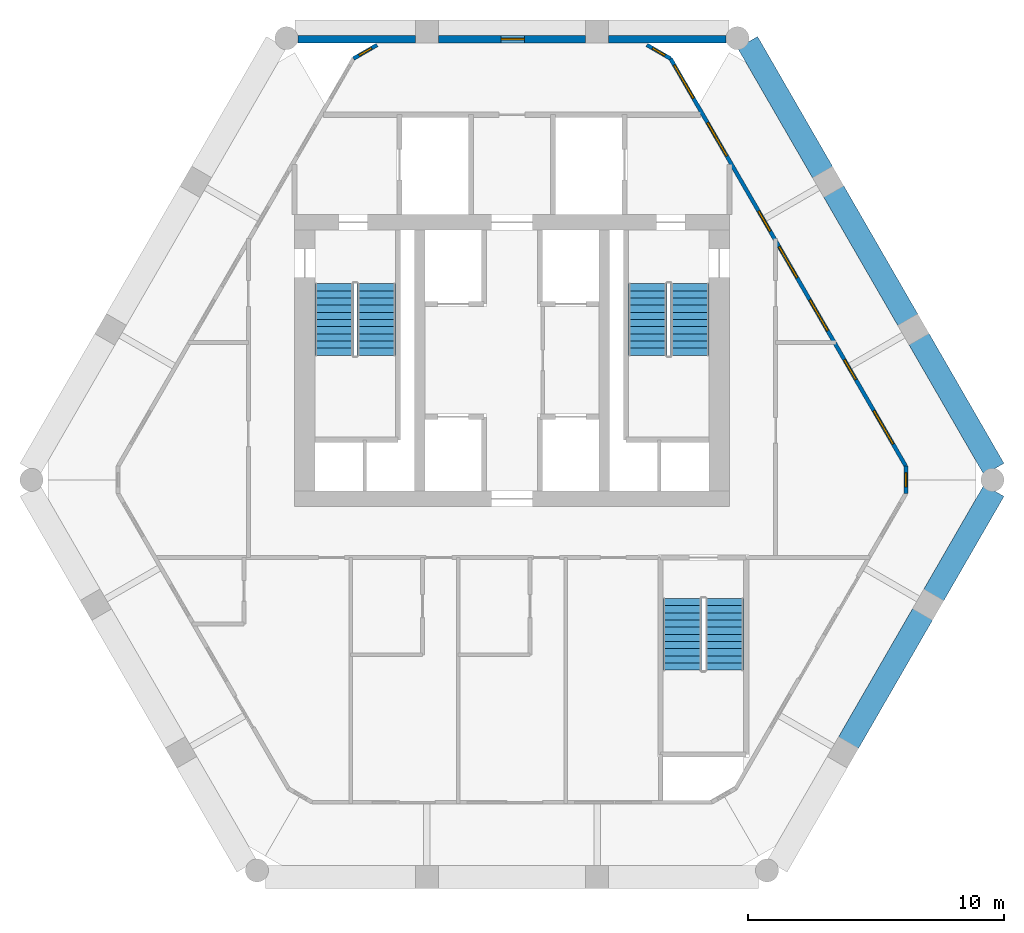
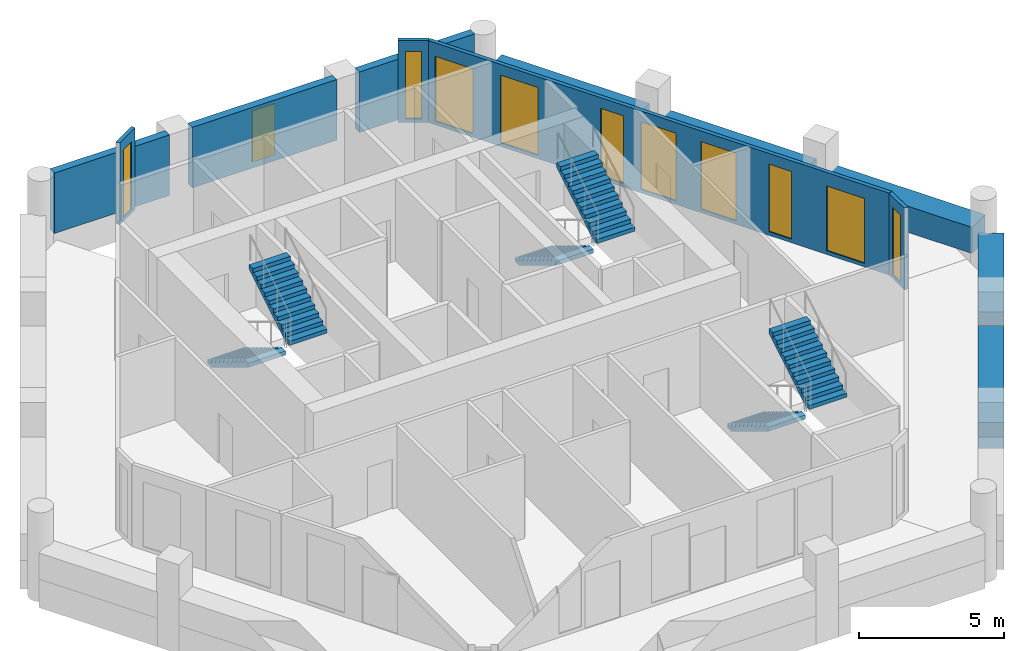
# One storey, part 5 of 6: 12 walls, 11 windows, 6 stair flights, 11 openings, 3 elements without a shape of their own.
"""IFC4 building model written with IfcOpenShell, lengths in metres."""

from ifc_helpers import new_model, si_unit, direction, frame, frame_2d, origin, place, context, subcontext, project, spatial, polyline, rectangle, outline, extrude, material, layer, layer_set, type_object, element, fill, aggregate, save


model = new_model("IFC4")

# Units and contexts
model_context = context("Model", 3, precision=1e-05, world=origin(), true_north=direction((0.0, 1.0)))
body_context = subcontext(model_context, "Body", "Model", "MODEL_VIEW")
ifc_project = project(units=[si_unit("LENGTHUNIT", "METRE"), si_unit("AREAUNIT", "SQUARE_METRE"), si_unit("VOLUMEUNIT", "CUBIC_METRE"), si_unit("PLANEANGLEUNIT", "RADIAN"), si_unit("MASSUNIT", "GRAM", prefix="KILO")], contexts=[model_context])

# Site, building, storey
site_placement = place(None, origin())
site = spatial("IfcSite", under=ifc_project, at=site_placement, CompositionType="ELEMENT")
building_placement = place(site_placement, origin())
building = spatial("IfcBuilding", under=site, at=building_placement, Name="Ostrander Bayou Hotel Tower", CompositionType="ELEMENT")
storey_placement = place(building_placement, frame((0.0, 0.0, 252.5)))
storey = spatial("IfcBuildingStorey", under=building, at=storey_placement, Name="L62", CompositionType="ELEMENT", Elevation=252.5)

# Wall, openings, windows
ifc_material_1 = material(Name="Aluminium framed insulated wall", Category="aluminium")
ifc_layer_1 = layer(ifc_material_1, 0.14990234375)
ifc_layer_set_1 = layer_set([ifc_layer_1], Name="GW1 glass-line wall 150 mm")
wall_type_1 = type_object("IfcWallType", Name="GW1 glass-line wall 150 mm", PredefinedType="SOLIDWALL", material=ifc_layer_set_1)
wall_1_placement = place(storey_placement, frame((15.387451171875, -0.133056640625, 0.0), z_axis=(0.0, 0.0, 1.0), x_axis=(-0.499998651697, 0.866026182226, 0.0)))
wall_1 = element("IfcWall", 1, at=wall_1_placement, inside=storey, type_object=wall_type_1, Name="GW1 L62 NE 1", PredefinedType="SOLIDWALL", context=body_context, shape_type="SweptSolid", body=[
    extrude(rectangle(XDim=18.38916015625, YDim=0.14990234375, at=frame_2d((9.194580078125, 0.0))), origin(), (0.0, 0.0, 1.0), 3.449951171875),
])
opening_1_placement = place(wall_1_placement, frame((3.908935546875, 0.0, 0.14990234375)))
opening_1 = element("IfcOpeningElement", 2, at=opening_1_placement, cuts=wall_1, Name="Opening W18", PredefinedType="OPENING", context=body_context, shape_type="SweptSolid", body=[
    extrude(rectangle(XDim=0.89990234375, YDim=2.85009765625, at=frame_2d((0.449951171875, 1.425048828125))), frame((0.0, 0.074951171875, 0.0), z_axis=(0.0, -1.0, 0.0), x_axis=(1.0, 0.0, 0.0)), (0.0, 0.0, 1.0), 0.14990234375),
])
opening_2_placement = place(wall_1_placement, frame((6.10888671875, 0.0, 0.14990234375)))
opening_2 = element("IfcOpeningElement", 3, at=opening_2_placement, cuts=wall_1, Name="Opening W14", PredefinedType="OPENING", context=body_context, shape_type="SweptSolid", body=[
    extrude(rectangle(XDim=1.39990234375, YDim=2.85009765625, at=frame_2d((0.699951171875, 1.425048828125))), frame((0.0, 0.074951171875, 0.0), z_axis=(0.0, -1.0, 0.0), x_axis=(1.0, 0.0, 0.0)), (0.0, 0.0, 1.0), 0.14990234375),
])
opening_3_placement = place(wall_1_placement, frame((10.60302734375, 0.0, 0.14990234375)))
opening_3 = element("IfcOpeningElement", 4, at=opening_3_placement, cuts=wall_1, Name="Opening W18", PredefinedType="OPENING", context=body_context, shape_type="SweptSolid", body=[
    extrude(rectangle(XDim=0.89990234375, YDim=2.85009765625, at=frame_2d((0.449951171875, 1.425048828125))), frame((0.0, 0.074951171875, 0.0), z_axis=(0.0, -1.0, 0.0), x_axis=(1.0, 0.0, 0.0)), (0.0, 0.0, 1.0), 0.14990234375),
])
opening_4_placement = place(wall_1_placement, frame((8.503173828125, 0.0, 0.14990234375)))
opening_4 = element("IfcOpeningElement", 5, at=opening_4_placement, cuts=wall_1, Name="Opening W14", PredefinedType="OPENING", context=body_context, shape_type="SweptSolid", body=[
    extrude(rectangle(XDim=1.39990234375, YDim=2.85009765625, at=frame_2d((0.699951171875, 1.425048828125))), frame((0.0, 0.074951171875, 0.0), z_axis=(0.0, -1.0, 0.0), x_axis=(1.0, 0.0, 0.0)), (0.0, 0.0, 1.0), 0.14990234375),
])
opening_5_placement = place(wall_1_placement, frame((13.99560546875, 0.0, 0.14990234375)))
opening_5 = element("IfcOpeningElement", 6, at=opening_5_placement, cuts=wall_1, Name="Opening W4", PredefinedType="OPENING", context=body_context, shape_type="SweptSolid", body=[
    extrude(rectangle(XDim=1.5, YDim=2.85009765625, at=frame_2d((0.75, 1.425048828125))), frame((0.0, 0.074951171875, 0.0), z_axis=(0.0, -1.0, 0.0), x_axis=(1.0, 0.0, 0.0)), (0.0, 0.0, 1.0), 0.14990234375),
])
opening_6_placement = place(wall_1_placement, frame((1.00439453125, 0.0, 0.14990234375)))
opening_6 = element("IfcOpeningElement", 7, at=opening_6_placement, cuts=wall_1, Name="Opening W4", PredefinedType="OPENING", context=body_context, shape_type="SweptSolid", body=[
    extrude(rectangle(XDim=1.5, YDim=2.72998046875, at=frame_2d((0.75, 1.364990234375))), frame((0.0, 0.074951171875, 0.0), z_axis=(0.0, -1.0, 0.0), x_axis=(1.0, 0.0, 0.0)), (0.0, 0.0, 1.0), 0.14990234375),
])
opening_7_placement = place(wall_1_placement, frame((16.59912109375, 0.0, 0.14990234375)))
opening_7 = element("IfcOpeningElement", 8, at=opening_7_placement, cuts=wall_1, Name="Opening W4", PredefinedType="OPENING", context=body_context, shape_type="SweptSolid", body=[
    extrude(rectangle(XDim=1.5, YDim=2.72998046875, at=frame_2d((0.75, 1.364990234375))), frame((0.0, 0.074951171875, 0.0), z_axis=(0.0, -1.0, 0.0), x_axis=(1.0, 0.0, 0.0)), (0.0, 0.0, 1.0), 0.14990234375),
])
ifc_material_2 = material(Name="Aluminium and clear glass", Category="aluminium")
window_type_1 = type_object("IfcWindowType", Name="W14 fixed window 1400 mm, bath bay, zone 4", PartitioningType="SINGLE_PANEL", PredefinedType="WINDOW", material=ifc_material_2)
window_1_placement = place(opening_2_placement, origin())
window_1 = element("IfcWindow", 9, at=window_1_placement, inside=storey, type_object=window_type_1, Name="W14 L62 NE 2", OverallHeight=2.85009765625, OverallWidth=1.39990234375, PartitioningType="SINGLE_PANEL", PredefinedType="WINDOW", context=body_context, shape_type="SweptSolid", body=[
    extrude(rectangle(XDim=1.39990234375, YDim=2.85009765625, at=frame_2d((0.699951171875, 1.425048828125))), frame((0.0, 0.030029296875, 0.0), z_axis=(0.0, -1.0, 0.0), x_axis=(1.0, 0.0, 0.0)), (0.0, 0.0, 1.0), 0.06005859375),
])
fill(opening_2, window_1)
window_2_placement = place(opening_4_placement, origin())
window_2 = element("IfcWindow", 10, at=window_2_placement, inside=storey, type_object=window_type_1, Name="W14 L62 NE 3", OverallHeight=2.85009765625, OverallWidth=1.39990234375, PartitioningType="SINGLE_PANEL", PredefinedType="WINDOW", context=body_context, shape_type="SweptSolid", body=[
    extrude(rectangle(XDim=1.39990234375, YDim=2.85009765625, at=frame_2d((0.699951171875, 1.425048828125))), frame((0.0, 0.030029296875, 0.0), z_axis=(0.0, -1.0, 0.0), x_axis=(1.0, 0.0, 0.0)), (0.0, 0.0, 1.0), 0.06005859375),
])
fill(opening_4, window_2)
ifc_material_3 = material(Name="Aluminium and clear glass", Category="aluminium")
window_type_2 = type_object("IfcWindowType", Name="W18 window 900 mm, zone 4", PartitioningType="SINGLE_PANEL", PredefinedType="WINDOW", material=ifc_material_3)
window_3_placement = place(opening_1_placement, origin())
window_3 = element("IfcWindow", 11, at=window_3_placement, inside=storey, type_object=window_type_2, Name="W18 L62 NE 2", OverallHeight=2.85009765625, OverallWidth=0.89990234375, PartitioningType="SINGLE_PANEL", PredefinedType="WINDOW", context=body_context, shape_type="SweptSolid", body=[
    extrude(rectangle(XDim=0.89990234375, YDim=2.85009765625, at=frame_2d((0.449951171875, 1.425048828125))), frame((0.0, 0.030029296875, 0.0), z_axis=(0.0, -1.0, 0.0), x_axis=(1.0, 0.0, 0.0)), (0.0, 0.0, 1.0), 0.06005859375),
])
fill(opening_1, window_3)
window_4_placement = place(opening_3_placement, origin())
window_4 = element("IfcWindow", 12, at=window_4_placement, inside=storey, type_object=window_type_2, Name="W18 L62 NE 3", OverallHeight=2.85009765625, OverallWidth=0.89990234375, PartitioningType="SINGLE_PANEL", PredefinedType="WINDOW", context=body_context, shape_type="SweptSolid", body=[
    extrude(rectangle(XDim=0.89990234375, YDim=2.85009765625, at=frame_2d((0.449951171875, 1.425048828125))), frame((0.0, 0.030029296875, 0.0), z_axis=(0.0, -1.0, 0.0), x_axis=(1.0, 0.0, 0.0)), (0.0, 0.0, 1.0), 0.06005859375),
])
fill(opening_3, window_4)
ifc_material_4 = material(Name="Aluminium and clear glass", Category="aluminium")
window_type_3 = type_object("IfcWindowType", Name="W4 fixed window 1500 mm, zone 4", PartitioningType="SINGLE_PANEL", PredefinedType="WINDOW", material=ifc_material_4)
window_5_placement = place(opening_5_placement, origin())
window_5 = element("IfcWindow", 13, at=window_5_placement, inside=storey, type_object=window_type_3, Name="W4 L62 NE 4", OverallHeight=2.85009765625, OverallWidth=1.5, PartitioningType="SINGLE_PANEL", PredefinedType="WINDOW", context=body_context, shape_type="SweptSolid", body=[
    extrude(rectangle(XDim=1.5, YDim=2.85009765625, at=frame_2d((0.75, 1.425048828125))), frame((0.0, 0.030029296875, 0.0), z_axis=(0.0, -1.0, 0.0), x_axis=(1.0, 0.0, 0.0)), (0.0, 0.0, 1.0), 0.06005859375),
])
fill(opening_5, window_5)
window_6_placement = place(opening_6_placement, origin())
window_6 = element("IfcWindow", 14, at=window_6_placement, inside=storey, type_object=window_type_3, Name="W4 L62 NE E11", OverallHeight=2.72998046875, OverallWidth=1.5, PartitioningType="SINGLE_PANEL", PredefinedType="WINDOW", context=body_context, shape_type="SweptSolid", body=[
    extrude(rectangle(XDim=1.5, YDim=2.72998046875, at=frame_2d((0.75, 1.364990234375))), frame((0.0, 0.030029296875, 0.0), z_axis=(0.0, -1.0, 0.0), x_axis=(1.0, 0.0, 0.0)), (0.0, 0.0, 1.0), 0.06005859375),
])
fill(opening_6, window_6)
window_7_placement = place(opening_7_placement, origin())
window_7 = element("IfcWindow", 15, at=window_7_placement, inside=storey, type_object=window_type_3, Name="W4 L62 NE E21", OverallHeight=2.72998046875, OverallWidth=1.5, PartitioningType="SINGLE_PANEL", PredefinedType="WINDOW", context=body_context, shape_type="SweptSolid", body=[
    extrude(rectangle(XDim=1.5, YDim=2.72998046875, at=frame_2d((0.75, 1.364990234375))), frame((0.0, 0.030029296875, 0.0), z_axis=(0.0, -1.0, 0.0), x_axis=(1.0, 0.0, 0.0)), (0.0, 0.0, 1.0), 0.06005859375),
])
fill(opening_7, window_7)

# Wall, opening, window
wall_2_placement = place(storey_placement, frame((-5.2705078125, 16.324951171875, 0.0), z_axis=(0.0, 0.0, 1.0), x_axis=(-0.866048165231, -0.499960573946, 0.0)))
wall_2 = element("IfcWall", 16, at=wall_2_placement, inside=storey, type_object=wall_type_1, Name="GW1 L62 corner 1", PredefinedType="SOLIDWALL", context=body_context, shape_type="SweptSolid", body=[
    extrude(rectangle(XDim=1.06494140625, YDim=0.14990234375, at=frame_2d((0.532470703125, 0.0))), origin(), (0.0, 0.0, 1.0), 3.449951171875),
])
opening_8_placement = place(wall_2_placement, frame((0.257568359375, 0.0, 0.14990234375)))
opening_8 = element("IfcOpeningElement", 17, at=opening_8_placement, cuts=wall_2, Name="Opening W19", PredefinedType="OPENING", context=body_context, shape_type="SweptSolid", body=[
    extrude(rectangle(XDim=0.550048828125, YDim=2.85009765625, at=frame_2d((0.27490234375, 1.425048828125))), frame((0.0, 0.074951171875, 0.0), z_axis=(0.0, -1.0, 0.0), x_axis=(1.0, 0.0, 0.0)), (0.0, 0.0, 1.0), 0.14990234375),
])
ifc_material_5 = material(Name="Aluminium and clear glass", Category="aluminium")
window_type_4 = type_object("IfcWindowType", Name="W19 corner window 550 mm", PartitioningType="SINGLE_PANEL", PredefinedType="WINDOW", material=ifc_material_5)
window_8_placement = place(opening_8_placement, origin())
window_8 = element("IfcWindow", 18, at=window_8_placement, inside=storey, type_object=window_type_4, Name="W19 L62 corner 1", OverallHeight=2.85009765625, OverallWidth=0.550048828125, PartitioningType="SINGLE_PANEL", PredefinedType="WINDOW", context=body_context, shape_type="SweptSolid", body=[
    extrude(rectangle(XDim=0.550048828125, YDim=2.85009765625, at=frame_2d((0.27490234375, 1.425048828125))), frame((0.0, 0.030029296875, 0.0), z_axis=(0.0, -1.0, 0.0), x_axis=(1.0, 0.0, 0.0)), (0.0, 0.0, 1.0), 0.06005859375),
])
fill(opening_8, window_8)

wall_3_placement = place(storey_placement, frame((15.387451171875, -1.197998046875, 0.0), z_axis=(0.0, 0.0, 1.0), x_axis=(0.0, 1.0, 0.0)))
wall_3 = element("IfcWall", 19, at=wall_3_placement, inside=storey, type_object=wall_type_1, Name="GW1 L62 corner 5", PredefinedType="SOLIDWALL", context=body_context, shape_type="SweptSolid", body=[
    extrude(rectangle(XDim=1.06494140625, YDim=0.14990234375, at=frame_2d((0.532470703125, 0.0))), origin(), (0.0, 0.0, 1.0), 3.449951171875),
])
opening_9_placement = place(wall_3_placement, frame((0.257568359375, 0.0, 0.14990234375)))
opening_9 = element("IfcOpeningElement", 20, at=opening_9_placement, cuts=wall_3, Name="Opening W19", PredefinedType="OPENING", context=body_context, shape_type="SweptSolid", body=[
    extrude(rectangle(XDim=0.550048828125, YDim=2.85009765625, at=frame_2d((0.27490234375, 1.425048828125))), frame((0.0, 0.074951171875, 0.0), z_axis=(0.0, -1.0, 0.0), x_axis=(1.0, 0.0, 0.0)), (0.0, 0.0, 1.0), 0.14990234375),
])
window_9_placement = place(opening_9_placement, origin())
window_9 = element("IfcWindow", 21, at=window_9_placement, inside=storey, type_object=window_type_4, Name="W19 L62 corner 5", OverallHeight=2.85009765625, OverallWidth=0.550048828125, PartitioningType="SINGLE_PANEL", PredefinedType="WINDOW", context=body_context, shape_type="SweptSolid", body=[
    extrude(rectangle(XDim=0.550048828125, YDim=2.85009765625, at=frame_2d((0.27490234375, 1.425048828125))), frame((0.0, 0.030029296875, 0.0), z_axis=(0.0, -1.0, 0.0), x_axis=(1.0, 0.0, 0.0)), (0.0, 0.0, 1.0), 0.06005859375),
])
fill(opening_9, window_9)

wall_4_placement = place(storey_placement, frame((6.19287109375, 15.79248046875, 0.0), z_axis=(0.0, 0.0, 1.0), x_axis=(-0.866048165231, 0.499960573946, 0.0)))
wall_4 = element("IfcWall", 22, at=wall_4_placement, inside=storey, type_object=wall_type_1, Name="GW1 L62 corner 6", PredefinedType="SOLIDWALL", context=body_context, shape_type="SweptSolid", body=[
    extrude(rectangle(XDim=1.06494140625, YDim=0.14990234375, at=frame_2d((0.532470703125, 0.0))), origin(), (0.0, 0.0, 1.0), 3.449951171875),
])
opening_10_placement = place(wall_4_placement, frame((0.257568359375, 0.0, 0.14990234375)))
opening_10 = element("IfcOpeningElement", 23, at=opening_10_placement, cuts=wall_4, Name="Opening W19", PredefinedType="OPENING", context=body_context, shape_type="SweptSolid", body=[
    extrude(rectangle(XDim=0.550048828125, YDim=2.85009765625, at=frame_2d((0.27490234375, 1.425048828125))), frame((0.0, 0.074951171875, 0.0), z_axis=(0.0, -1.0, 0.0), x_axis=(1.0, 0.0, 0.0)), (0.0, 0.0, 1.0), 0.14990234375),
])
window_10_placement = place(opening_10_placement, origin())
window_10 = element("IfcWindow", 24, at=window_10_placement, inside=storey, type_object=window_type_4, Name="W19 L62 corner 6", OverallHeight=2.85009765625, OverallWidth=0.550048828125, PartitioningType="SINGLE_PANEL", PredefinedType="WINDOW", context=body_context, shape_type="SweptSolid", body=[
    extrude(rectangle(XDim=0.550048828125, YDim=2.85009765625, at=frame_2d((0.27490234375, 1.425048828125))), frame((0.0, 0.030029296875, 0.0), z_axis=(0.0, -1.0, 0.0), x_axis=(1.0, 0.0, 0.0)), (0.0, 0.0, 1.0), 0.06005859375),
])
fill(opening_10, window_10)

# Wall
ifc_material_6 = material(Name="Reconstituted stone on masonry backing", Category="masonry")
ifc_layer_2 = layer(ifc_material_6, 0.300048828125)
ifc_layer_set_2 = layer_set([ifc_layer_2], Name="NW1 north stone wall 300 mm")
wall_type_2 = type_object("IfcWallType", Name="NW1 north stone wall 300 mm", PredefinedType="SOLIDWALL", material=ifc_layer_set_2)
wall_5_placement = place(storey_placement, frame((8.36279296875, 16.550048828125, 0.0), z_axis=(0.0, 0.0, 1.0), x_axis=(-1.0, 0.0, 0.0)))
element("IfcWall", 25, at=wall_5_placement, inside=storey, type_object=wall_type_2, Name="NW1 L62 N-1", PredefinedType="SOLIDWALL", context=body_context, shape_type="SweptSolid", body=[
    extrude(rectangle(XDim=4.58349609375, YDim=0.300048828125, at=frame_2d((2.291748046875, 0.0))), origin(), (0.0, 0.0, 1.0), 2.550048828125),
])

# Wall, opening, window
wall_6_placement = place(storey_placement, frame((2.87939453125, 16.550048828125, 0.0), z_axis=(0.0, 0.0, 1.0), x_axis=(-1.0, 0.0, 0.0)))
wall_6 = element("IfcWall", 26, at=wall_6_placement, inside=storey, type_object=wall_type_2, Name="NW1 L62 N-2", PredefinedType="SOLIDWALL", context=body_context, shape_type="SweptSolid", body=[
    extrude(rectangle(XDim=5.7587890625, YDim=0.300048828125, at=frame_2d((2.87939453125, 0.0))), origin(), (0.0, 0.0, 1.0), 2.550048828125),
])
opening_11_placement = place(wall_6_placement, frame((2.39990234375, 0.0, 0.14990234375)))
opening_11 = element("IfcOpeningElement", 27, at=opening_11_placement, cuts=wall_6, Name="Opening W18", PredefinedType="OPENING", context=body_context, shape_type="SweptSolid", body=[
    extrude(rectangle(XDim=0.89990234375, YDim=2.14990234375, at=frame_2d((0.449951171875, 1.074951171875))), frame((0.0, 0.14990234375, 0.0), z_axis=(0.0, -1.0, 0.0), x_axis=(1.0, 0.0, 0.0)), (0.0, 0.0, 1.0), 0.300048828125),
])
window_11_placement = place(opening_11_placement, origin())
window_11 = element("IfcWindow", 28, at=window_11_placement, inside=storey, type_object=window_type_2, Name="W18 L62 north N-2", OverallHeight=2.14990234375, OverallWidth=0.89990234375, PartitioningType="SINGLE_PANEL", PredefinedType="WINDOW", context=body_context, shape_type="SweptSolid", body=[
    extrude(rectangle(XDim=0.89990234375, YDim=2.14990234375, at=frame_2d((0.449951171875, 1.074951171875))), frame((0.0, 0.030029296875, 0.0), z_axis=(0.0, -1.0, 0.0), x_axis=(1.0, 0.0, 0.0)), (0.0, 0.0, 1.0), 0.06005859375),
])
fill(opening_11, window_11)

# Walls
wall_7_placement = place(storey_placement, frame((-3.779296875, 16.550048828125, 0.0), z_axis=(0.0, 0.0, 1.0), x_axis=(-1.0, 0.0, 0.0)))
element("IfcWall", 29, at=wall_7_placement, inside=storey, type_object=wall_type_2, Name="NW1 L62 N-3", PredefinedType="SOLIDWALL", context=body_context, shape_type="SweptSolid", body=[
    extrude(rectangle(XDim=4.58349609375, YDim=0.300048828125, at=frame_2d((2.291748046875, 0.0))), origin(), (0.0, 0.0, 1.0), 2.550048828125),
])
ifc_material_7 = material(Name="Concrete f'c 40 MPa", Category="concrete")
ifc_layer_3 = layer(ifc_material_7, 0.89990234375)
ifc_layer_set_3 = layer_set([ifc_layer_3], Name="PA1 stone-faced parapet 900 mm")
wall_type_3 = type_object("IfcWallType", Name="PA1 stone-faced parapet 900 mm", PredefinedType="PARAPET", material=ifc_layer_set_3)
wall_8_placement = place(storey_placement, frame((18.828857421875, -0.24365234375, 0.0), z_axis=(0.0, 0.0, 1.0), x_axis=(-0.499990994059, 0.866030603304, 0.0)))
element("IfcWall", 30, at=wall_8_placement, inside=storey, type_object=wall_type_3, Name="PA1 L62 NE-1", PredefinedType="PARAPET", context=body_context, shape_type="SweptSolid", body=[
    extrude(rectangle(XDim=5.8759765625, YDim=0.89990234375, at=frame_2d((2.93798828125, 0.0))), origin(), (0.0, 0.0, 1.0), 1.10009765625),
])
wall_9_placement = place(storey_placement, frame((15.470947265625, 5.572509765625, 0.0), z_axis=(0.0, 0.0, 1.0), x_axis=(-0.499997265274, 0.866026982673, 0.0)))
element("IfcWall", 31, at=wall_9_placement, inside=storey, type_object=wall_type_3, Name="PA1 L62 NE-2", PredefinedType="PARAPET", context=body_context, shape_type="SweptSolid", body=[
    extrude(rectangle(XDim=5.81884765625, YDim=0.89990234375, at=frame_2d((2.909423828125, 0.0))), origin(), (0.0, 0.0, 1.0), 1.10009765625),
])
wall_10_placement = place(storey_placement, frame((12.1416015625, 11.33935546875, 0.0), z_axis=(0.0, 0.0, 1.0), x_axis=(-0.500008985279, 0.866020216069, 0.0)))
element("IfcWall", 32, at=wall_10_placement, inside=storey, type_object=wall_type_3, Name="PA1 L62 NE-3", PredefinedType="PARAPET", context=body_context, shape_type="SweptSolid", body=[
    extrude(rectangle(XDim=5.8759765625, YDim=0.89990234375, at=frame_2d((2.93798828125, 0.0))), origin(), (0.0, 0.0, 1.0), 1.10009765625),
])
ifc_material_8 = material(Name="Limestone masonry", Category="masonry")
ifc_layer_4 = layer(ifc_material_8, 0.89990234375)
ifc_layer_set_4 = layer_set([ifc_layer_4], Name="PA2 limestone parapet 900 mm")
wall_type_4 = type_object("IfcWallType", Name="PA2 limestone parapet 900 mm", PredefinedType="PARAPET", material=ifc_layer_set_4)
wall_11_placement = place(storey_placement, frame((13.1376953125, -10.944580078125, 0.0), z_axis=(0.0, 0.0, 1.0), x_axis=(0.500015433515, 0.866016493057, 0.0)))
element("IfcWall", 33, at=wall_11_placement, inside=storey, type_object=wall_type_4, Name="PA2 L62 SE-2", PredefinedType="PARAPET", context=body_context, shape_type="SweptSolid", body=[
    extrude(rectangle(XDim=5.818603515625, YDim=0.89990234375, at=frame_2d((2.9091796875, 0.0))), origin(), (0.0, 0.0, 1.0), 1.10009765625),
])
wall_12_placement = place(storey_placement, frame((16.46728515625, -5.177978515625, 0.0), z_axis=(0.0, 0.0, 1.0), x_axis=(0.499980471007, 0.86603667856, 0.0)))
element("IfcWall", 34, at=wall_12_placement, inside=storey, type_object=wall_type_4, Name="PA2 L62 SE-3", PredefinedType="PARAPET", context=body_context, shape_type="SweptSolid", body=[
    extrude(rectangle(XDim=4.723388671875, YDim=0.89990234375, at=frame_2d((2.36181640625, 0.0))), origin(), (0.0, 0.0, 1.0), 1.10009765625),
])

# Stair, stair flights
ifc_material_9 = material(Name="Concrete f'c 45 MPa", Category="concrete")
stair_type = type_object("IfcStairType", Name="ST1 exit stair 1500 mm f'c 45 MPa", PredefinedType="HALF_TURN_STAIR", material=ifc_material_9)
stair_1_placement = place(storey_placement, origin())
stair_1 = element("IfcStair", 35, at=stair_1_placement, inside=storey, type_object=stair_type, Name="L62 exit stair A", PredefinedType="HALF_TURN_STAIR")
ifc_material_10 = material(Name="Concrete f'c 45 MPa", Category="concrete")
stair_flight_type = type_object("IfcStairFlightType", Name="SF1 stair flight 1500 mm f'c 45 MPa", PredefinedType="STRAIGHT", material=ifc_material_10)
stair_flight_1_placement = place(storey_placement, frame((-6.949951171875, 7.0, 0.0), z_axis=(0.0, 0.0, 1.0), x_axis=(0.0, -1.0, 0.0)))
stair_flight_1 = element("IfcStairFlight", 36, at=stair_flight_1_placement, type_object=stair_flight_type, Name="STA flight 1", NumberOfRisers=11, NumberOfTreads=10, PredefinedType="STRAIGHT", RiserHeight=0.170454545, TreadLength=0.28, context=body_context, shape_type="SweptSolid", body=[
    extrude(outline(polyline([(0.0, 0.0), (0.0, 0.17041015625), (0.280029296875, 0.17041015625), (0.280029296875, 0.3408203125), (0.56005859375, 0.3408203125), (0.56005859375, 0.511474609375), (0.840087890625, 0.511474609375), (0.840087890625, 0.681884765625), (1.1201171875, 0.681884765625), (1.1201171875, 0.852294921875), (1.39990234375, 0.852294921875), (1.39990234375, 1.022705078125), (1.679931640625, 1.022705078125), (1.679931640625, 1.193115234375), (1.9599609375, 1.193115234375), (1.9599609375, 1.363525390625), (2.239990234375, 1.363525390625), (2.239990234375, 1.5341796875), (2.52001953125, 1.5341796875), (2.52001953125, 1.70458984375), (2.800048828125, 1.70458984375), (2.800048828125, 1.875), (2.800048828125, 1.529052734375), (0.288330078125, 0.0), (0.0, 0.0)])), frame((0.0, 0.75, 0.0), z_axis=(0.0, -1.0, 0.0), x_axis=(1.0, 0.0, 0.0)), (0.0, 0.0, 1.0), 1.5),
])
stair_flight_2_placement = place(storey_placement, frame((-5.300048828125, 4.199951171875, 1.875), z_axis=(0.0, 0.0, 1.0), x_axis=(0.0, 1.0, 0.0)))
stair_flight_2 = element("IfcStairFlight", 37, at=stair_flight_2_placement, type_object=stair_flight_type, Name="STA flight 2", NumberOfRisers=11, NumberOfTreads=10, PredefinedType="STRAIGHT", RiserHeight=0.170454545, TreadLength=0.28, context=body_context, shape_type="SweptSolid", body=[
    extrude(outline(polyline([(0.0, 0.0), (0.0, 0.17041015625), (0.280029296875, 0.17041015625), (0.280029296875, 0.3408203125), (0.56005859375, 0.3408203125), (0.56005859375, 0.511474609375), (0.840087890625, 0.511474609375), (0.840087890625, 0.681884765625), (1.1201171875, 0.681884765625), (1.1201171875, 0.852294921875), (1.39990234375, 0.852294921875), (1.39990234375, 1.022705078125), (1.679931640625, 1.022705078125), (1.679931640625, 1.193115234375), (1.9599609375, 1.193115234375), (1.9599609375, 1.363525390625), (2.239990234375, 1.363525390625), (2.239990234375, 1.5341796875), (2.52001953125, 1.5341796875), (2.52001953125, 1.70458984375), (2.800048828125, 1.70458984375), (2.800048828125, 1.875), (2.800048828125, 1.529052734375), (0.288330078125, 0.0), (0.0, 0.0)])), frame((0.0, 0.75, 0.0), z_axis=(0.0, -1.0, 0.0), x_axis=(1.0, 0.0, 0.0)), (0.0, 0.0, 1.0), 1.5),
])
aggregate(stair_1, [stair_flight_1, stair_flight_2])

stair_2_placement = place(storey_placement, origin())
stair_2 = element("IfcStair", 38, at=stair_2_placement, inside=storey, type_object=stair_type, Name="L62 exit stair B", PredefinedType="HALF_TURN_STAIR")
stair_flight_3_placement = place(storey_placement, frame((5.300048828125, 7.0, 0.0), z_axis=(0.0, 0.0, 1.0), x_axis=(0.0, -1.0, 0.0)))
stair_flight_3 = element("IfcStairFlight", 39, at=stair_flight_3_placement, type_object=stair_flight_type, Name="STB flight 1", NumberOfRisers=11, NumberOfTreads=10, PredefinedType="STRAIGHT", RiserHeight=0.170454545, TreadLength=0.28, context=body_context, shape_type="SweptSolid", body=[
    extrude(outline(polyline([(0.0, 0.0), (0.0, 0.17041015625), (0.280029296875, 0.17041015625), (0.280029296875, 0.3408203125), (0.56005859375, 0.3408203125), (0.56005859375, 0.511474609375), (0.840087890625, 0.511474609375), (0.840087890625, 0.681884765625), (1.1201171875, 0.681884765625), (1.1201171875, 0.852294921875), (1.39990234375, 0.852294921875), (1.39990234375, 1.022705078125), (1.679931640625, 1.022705078125), (1.679931640625, 1.193115234375), (1.9599609375, 1.193115234375), (1.9599609375, 1.363525390625), (2.239990234375, 1.363525390625), (2.239990234375, 1.5341796875), (2.52001953125, 1.5341796875), (2.52001953125, 1.70458984375), (2.800048828125, 1.70458984375), (2.800048828125, 1.875), (2.800048828125, 1.529052734375), (0.288330078125, 0.0), (0.0, 0.0)])), frame((0.0, 0.75, 0.0), z_axis=(0.0, -1.0, 0.0), x_axis=(1.0, 0.0, 0.0)), (0.0, 0.0, 1.0), 1.5),
])
stair_flight_4_placement = place(storey_placement, frame((6.949951171875, 4.199951171875, 1.875), z_axis=(0.0, 0.0, 1.0), x_axis=(0.0, 1.0, 0.0)))
stair_flight_4 = element("IfcStairFlight", 40, at=stair_flight_4_placement, type_object=stair_flight_type, Name="STB flight 2", NumberOfRisers=11, NumberOfTreads=10, PredefinedType="STRAIGHT", RiserHeight=0.170454545, TreadLength=0.28, context=body_context, shape_type="SweptSolid", body=[
    extrude(outline(polyline([(0.0, 0.0), (0.0, 0.17041015625), (0.280029296875, 0.17041015625), (0.280029296875, 0.3408203125), (0.56005859375, 0.3408203125), (0.56005859375, 0.511474609375), (0.840087890625, 0.511474609375), (0.840087890625, 0.681884765625), (1.1201171875, 0.681884765625), (1.1201171875, 0.852294921875), (1.39990234375, 0.852294921875), (1.39990234375, 1.022705078125), (1.679931640625, 1.022705078125), (1.679931640625, 1.193115234375), (1.9599609375, 1.193115234375), (1.9599609375, 1.363525390625), (2.239990234375, 1.363525390625), (2.239990234375, 1.5341796875), (2.52001953125, 1.5341796875), (2.52001953125, 1.70458984375), (2.800048828125, 1.70458984375), (2.800048828125, 1.875), (2.800048828125, 1.529052734375), (0.288330078125, 0.0), (0.0, 0.0)])), frame((0.0, 0.75, 0.0), z_axis=(0.0, -1.0, 0.0), x_axis=(1.0, 0.0, 0.0)), (0.0, 0.0, 1.0), 1.5),
])
aggregate(stair_2, [stair_flight_3, stair_flight_4])

stair_3_placement = place(storey_placement, origin())
stair_3 = element("IfcStair", 41, at=stair_3_placement, inside=storey, type_object=stair_type, Name="L62 exit stair C", PredefinedType="HALF_TURN_STAIR")
stair_flight_5_placement = place(storey_placement, frame((6.64990234375, -5.300048828125, 0.0), z_axis=(0.0, 0.0, 1.0), x_axis=(0.0, -1.0, 0.0)))
stair_flight_5 = element("IfcStairFlight", 42, at=stair_flight_5_placement, type_object=stair_flight_type, Name="STC flight 1", NumberOfRisers=11, NumberOfTreads=10, PredefinedType="STRAIGHT", RiserHeight=0.170454545, TreadLength=0.28, context=body_context, shape_type="SweptSolid", body=[
    extrude(outline(polyline([(0.0, 0.0), (0.0, 0.17041015625), (0.280029296875, 0.17041015625), (0.280029296875, 0.3408203125), (0.56005859375, 0.3408203125), (0.56005859375, 0.511474609375), (0.840087890625, 0.511474609375), (0.840087890625, 0.681884765625), (1.1201171875, 0.681884765625), (1.1201171875, 0.852294921875), (1.39990234375, 0.852294921875), (1.39990234375, 1.022705078125), (1.679931640625, 1.022705078125), (1.679931640625, 1.193115234375), (1.9599609375, 1.193115234375), (1.9599609375, 1.363525390625), (2.239990234375, 1.363525390625), (2.239990234375, 1.5341796875), (2.52001953125, 1.5341796875), (2.52001953125, 1.70458984375), (2.800048828125, 1.70458984375), (2.800048828125, 1.875), (2.800048828125, 1.529052734375), (0.288330078125, 0.0), (0.0, 0.0)])), frame((0.0, 0.75, 0.0), z_axis=(0.0, -1.0, 0.0), x_axis=(1.0, 0.0, 0.0)), (0.0, 0.0, 1.0), 1.5),
])
stair_flight_6_placement = place(storey_placement, frame((8.300048828125, -8.10009765625, 1.875), z_axis=(0.0, 0.0, 1.0), x_axis=(0.0, 1.0, 0.0)))
stair_flight_6 = element("IfcStairFlight", 43, at=stair_flight_6_placement, type_object=stair_flight_type, Name="STC flight 2", NumberOfRisers=11, NumberOfTreads=10, PredefinedType="STRAIGHT", RiserHeight=0.170454545, TreadLength=0.28, context=body_context, shape_type="SweptSolid", body=[
    extrude(outline(polyline([(0.0, 0.0), (0.0, 0.17041015625), (0.280029296875, 0.17041015625), (0.280029296875, 0.3408203125), (0.56005859375, 0.3408203125), (0.56005859375, 0.511474609375), (0.840087890625, 0.511474609375), (0.840087890625, 0.681884765625), (1.1201171875, 0.681884765625), (1.1201171875, 0.852294921875), (1.39990234375, 0.852294921875), (1.39990234375, 1.022705078125), (1.679931640625, 1.022705078125), (1.679931640625, 1.193115234375), (1.9599609375, 1.193115234375), (1.9599609375, 1.363525390625), (2.239990234375, 1.363525390625), (2.239990234375, 1.5341796875), (2.52001953125, 1.5341796875), (2.52001953125, 1.70458984375), (2.800048828125, 1.70458984375), (2.800048828125, 1.875), (2.800048828125, 1.529052734375), (0.288330078125, 0.0), (0.0, 0.0)])), frame((0.0, 0.75, 0.0), z_axis=(0.0, -1.0, 0.0), x_axis=(1.0, 0.0, 0.0)), (0.0, 0.0, 1.0), 1.5),
])
aggregate(stair_3, [stair_flight_5, stair_flight_6])

save(model, "model.ifc")
